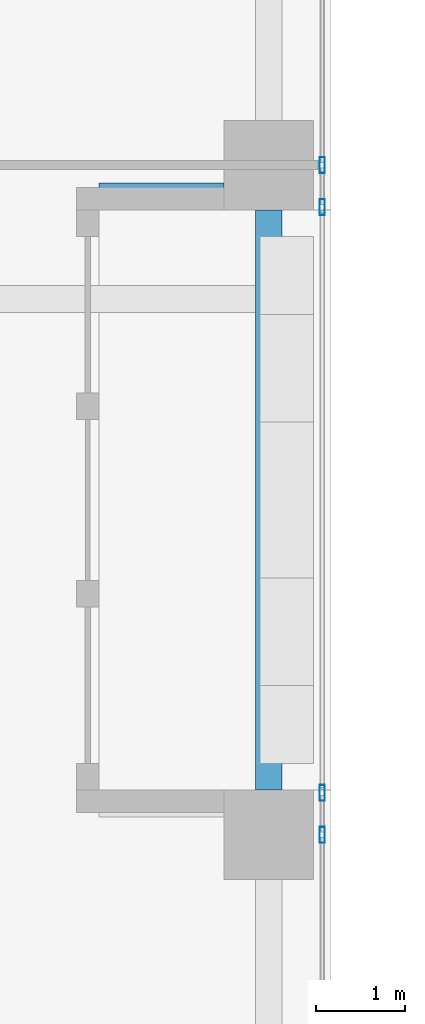
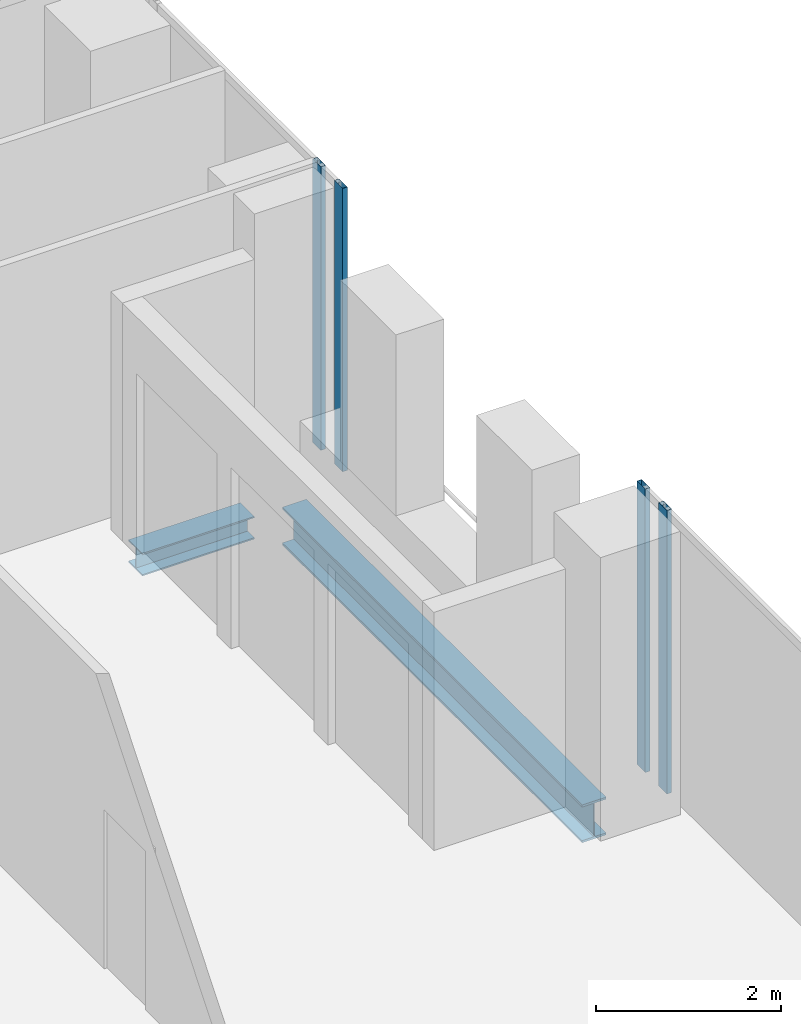
# One storey, part 24 of 40: 4 members, 2 beams, 2 elements without a shape of their own.
"""IFC4 building model written with IfcOpenShell, lengths in metres."""

import ifcopenshell
import ifcopenshell.guid

model = None  # the IFC model being written
_history = None  # IfcOwnerHistory: only IFC2X3 demands one
_inside = {}  # id of a spatial element -> (the spatial element, [elements in it])
_under = {}  # id of a project, library or spatial element -> (it, [spatial elements below it])
_declared = {}  # id of a project -> (the project, [libraries it declares])
_typed = {}  # id of a type object -> (the type object, [elements of that type])
_made_of = {}  # id of a material, layer set ... -> (it, [elements and type objects made of it])


def new_model(schema):
    """Start an empty IFC model of exactly this schema.

    Asked for "IFC4X3", IfcOpenShell would pick the latest addendum, in which some entities
    have other attributes; the version numbers below select the first issue.
    IFC2X3 requires an IfcOwnerHistory on every rooted entity: one is made here for all.
    """
    global model, _history
    if schema == "IFC4X3":
        model = ifcopenshell.file(schema_version=(4, 3, 0, 0))
    else:
        model = ifcopenshell.file(schema=schema)
    _inside.clear()
    _under.clear()
    _declared.clear()
    _typed.clear()
    _made_of.clear()
    _history = None
    if model.schema == "IFC2X3":
        org = make("IfcOrganization", Name="unknown")
        user = make(
            "IfcPersonAndOrganization",
            ThePerson=make("IfcPerson", FamilyName="unknown"),
            TheOrganization=org,
        )
        app = make(
            "IfcApplication",
            ApplicationDeveloper=org,
            Version="unknown",
            ApplicationFullName="unknown",
            ApplicationIdentifier="unknown",
        )
        _history = make(
            "IfcOwnerHistory",
            OwningUser=user,
            OwningApplication=app,
            ChangeAction="ADDED",
            CreationDate=0,
        )
    return model


def make(cls, **values):
    """One entity of the class cls with the attributes given. An attribute that is None is left unset."""
    return model.create_entity(
        cls, **{name: value for name, value in values.items() if value is not None}
    )


def rooted(cls, **values):
    """An entity with a GlobalId (a new one), such as an element, a storey or a relation."""
    return make(cls, GlobalId=ifcopenshell.guid.new(), OwnerHistory=_history, **values)


def si_unit(unit_type, name, prefix=None):
    """IfcSIUnit, for example si_unit("LENGTHUNIT", "METRE", prefix="MILLI")."""
    return make("IfcSIUnit", UnitType=unit_type, Prefix=prefix, Name=name)


def assignment(units):
    """IfcUnitAssignment: the units of a project."""
    return None if units is None else make("IfcUnitAssignment", Units=units)


def point(xyz):
    """IfcCartesianPoint."""
    return None if xyz is None else make("IfcCartesianPoint", Coordinates=xyz)


def direction(xyz):
    """IfcDirection."""
    return None if xyz is None else make("IfcDirection", DirectionRatios=xyz)


def frame(location, z_axis=None, x_axis=None):
    """IfcAxis2Placement3D, a coordinate frame: its origin and axes. An axis left out is left unset."""
    return make(
        "IfcAxis2Placement3D",
        Location=point(location),
        Axis=direction(z_axis),
        RefDirection=direction(x_axis),
    )


def frame_2d(location, x_axis=None):
    """IfcAxis2Placement2D, a coordinate frame in the plane: its origin and x axis."""
    return make(
        "IfcAxis2Placement2D", Location=point(location), RefDirection=direction(x_axis)
    )


def origin():
    """The frame at (0, 0, 0) with its axes left unset."""
    return frame((0.0, 0.0, 0.0))


def origin_2d():
    """The frame at (0, 0) in the plane with its x axis left unset."""
    return frame_2d((0.0, 0.0))


def place(relative_to, where):
    """IfcLocalPlacement: puts the frame where relative to a parent placement (None: the world)."""
    return make(
        "IfcLocalPlacement", PlacementRelTo=relative_to, RelativePlacement=where
    )


def context(
    kind, dimensions, precision=None, world=None, true_north=None, identifier=None
):
    """IfcGeometricRepresentationContext, for example the 3D "Model" context."""
    return make(
        "IfcGeometricRepresentationContext",
        ContextIdentifier=identifier,
        ContextType=kind,
        CoordinateSpaceDimension=dimensions,
        Precision=precision,
        WorldCoordinateSystem=world,
        TrueNorth=true_north,
    )


def subcontext(parent, identifier, kind, view, scale=None):
    """IfcGeometricRepresentationSubContext, for example "Body" below "Model"."""
    return make(
        "IfcGeometricRepresentationSubContext",
        ContextIdentifier=identifier,
        ContextType=kind,
        ParentContext=parent,
        TargetScale=scale,
        TargetView=view,
    )


def project(units=None, contexts=None):
    """IfcProject with its units and contexts."""
    return rooted(
        "IfcProject",
        Name="project",
        RepresentationContexts=contexts,
        UnitsInContext=assignment(units),
    )


def spatial(cls, under=None, at=None, **own):
    """A site, building, storey or space (cls), placed at a placement, below another one or the project."""
    s = rooted(cls, ObjectPlacement=at, **own)
    if under is not None:
        _under.setdefault(under.id(), (under, []))[1].append(s)
    return s


def profile(cls, at=None, kind="AREA", **sizes):
    """A parametric profile (cls). Its sizes go by their IFC names, for example OverallWidth=200.0."""
    return make(cls, ProfileType=kind, Position=at, **sizes)


def hollow_rectangle(**sizes):
    """IfcRectangleHollowProfileDef."""
    return profile("IfcRectangleHollowProfileDef", **sizes)


def i_section(**sizes):
    """IfcIShapeProfileDef."""
    return profile("IfcIShapeProfileDef", **sizes)


def extrude(swept, where, along, depth):
    """IfcExtrudedAreaSolid: the profile swept, set in the frame where, extruded along a direction by depth."""
    return make(
        "IfcExtrudedAreaSolid",
        SweptArea=swept,
        Position=where,
        ExtrudedDirection=direction(along),
        Depth=depth,
    )


def shape(context_of_items, identifier, shape_type, items):
    """IfcShapeRepresentation: the items that make up one representation, for example the "Body"."""
    return make(
        "IfcShapeRepresentation",
        ContextOfItems=context_of_items,
        RepresentationIdentifier=identifier,
        RepresentationType=shape_type,
        Items=items,
    )


def source(mapping_origin, context_of_items, identifier, shape_type, items):
    """IfcRepresentationMap: a shape defined once, which mapped items show again and again."""
    return make(
        "IfcRepresentationMap",
        MappingOrigin=mapping_origin,
        MappedRepresentation=shape(context_of_items, identifier, shape_type, items),
    )


def transform(
    local_origin,
    x_axis=None,
    y_axis=None,
    z_axis=None,
    scale=None,
    scale2=None,
    scale3=None,
    uniform=True,
):
    """IfcCartesianTransformationOperator3D, or its non-uniform kind. x_axis, y_axis, z_axis: its Axis1, 2, 3."""
    if uniform:
        return make(
            "IfcCartesianTransformationOperator3D",
            Axis1=direction(x_axis),
            Axis2=direction(y_axis),
            LocalOrigin=point(local_origin),
            Scale=scale,
            Axis3=direction(z_axis),
        )
    return make(
        "IfcCartesianTransformationOperator3DnonUniform",
        Axis1=direction(x_axis),
        Axis2=direction(y_axis),
        LocalOrigin=point(local_origin),
        Scale=scale,
        Axis3=direction(z_axis),
        Scale2=scale2,
        Scale3=scale3,
    )


def mapped(mapping_source, mapping_target):
    """IfcMappedItem: shows the shape of a source again, moved by a transform."""
    return make(
        "IfcMappedItem", MappingSource=mapping_source, MappingTarget=mapping_target
    )


def material(Name=None, Category=None):
    """IfcMaterial."""
    return make("IfcMaterial", Name=Name, Category=Category)


def material_profile(
    of_material, cross_section, Name=None, Category=None, Priority=None
):
    """IfcMaterialProfile: a cross section and its material."""
    return make(
        "IfcMaterialProfile",
        Name=Name,
        Material=of_material,
        Profile=cross_section,
        Priority=Priority,
        Category=Category,
    )


def profile_set(profiles, Name=None, composite=None):
    """IfcMaterialProfileSet."""
    return make(
        "IfcMaterialProfileSet",
        Name=Name,
        MaterialProfiles=profiles,
        CompositeProfile=composite,
    )


def made_of(thing, what):
    """Note that an element or type object is made of a material, layer set ...; save() writes the relation."""
    if what is not None:
        _made_of.setdefault(what.id(), (what, []))[1].append(thing)
    return thing


def type_object(cls, material=None, **own):
    """A type object (cls), such as IfcWallType, which elements share."""
    return made_of(rooted(cls, **own), material)


def element(
    cls,
    number,
    at=None,
    inside=None,
    cuts=None,
    type_object=None,
    material=None,
    context=None,
    identifier="Body",
    shape_type=None,
    held_by="IfcProductDefinitionShape",
    body=None,
    shapes=None,
    **own,
):
    """One element of the class cls, such as IfcWall. Its Tag is "e" and its number.

    at: its placement. inside: the storey or other place that contains it. cuts: it is an
    opening in that element (IfcRelVoidsElement). A single representation is given by context,
    identifier, shape_type and body (its items); several are given by shapes. held_by: the class
    of the entity that holds the representations. save() writes the other relations.
    """
    e = rooted(cls, Tag="e%d" % number, ObjectPlacement=at, **own)
    if body is not None:
        shapes = [shape(context, identifier, shape_type, body)]
    if shapes is not None:
        e.Representation = make(held_by, Representations=shapes)
    if inside is not None:
        _inside.setdefault(inside.id(), (inside, []))[1].append(e)
    if cuts is not None:
        rooted(
            "IfcRelVoidsElement", RelatingBuildingElement=cuts, RelatedOpeningElement=e
        )
    if type_object is not None:
        _typed.setdefault(type_object.id(), (type_object, []))[1].append(e)
    return made_of(e, material)


def aggregate(whole, parts):
    """IfcRelAggregates: a whole, such as a stair, and the parts it consists of."""
    return rooted("IfcRelAggregates", RelatingObject=whole, RelatedObjects=parts)


def save(model, path):
    """Write the relations noted so far, then the file.

    IfcRelAggregates (storeys below a building ...), IfcRelContainedInSpatialStructure (elements
    in a storey), IfcRelDefinesByType, IfcRelAssociatesMaterial and IfcRelDeclares: one each for
    every whole, place, type object, material and project.
    """
    for whole, parts in _under.values():
        aggregate(whole, parts)
    for where, things in _inside.values():
        rooted(
            "IfcRelContainedInSpatialStructure",
            RelatedElements=things,
            RelatingStructure=where,
        )
    for kind, things in _typed.values():
        rooted("IfcRelDefinesByType", RelatedObjects=things, RelatingType=kind)
    for what, things in _made_of.values():
        rooted("IfcRelAssociatesMaterial", RelatedObjects=things, RelatingMaterial=what)
    for by, libraries in _declared.values():
        rooted("IfcRelDeclares", RelatingContext=by, RelatedDefinitions=libraries)
    model.write(path)


model = new_model("IFC4")

# Units and contexts
model_context = context("Model", 3, precision=1e-05, world=origin(), true_north=direction((0.0, 1.0)))
body_context = subcontext(model_context, "Body", "Model", "MODEL_VIEW")
ifc_project = project(units=[si_unit("LENGTHUNIT", "METRE"), si_unit("AREAUNIT", "SQUARE_METRE"), si_unit("VOLUMEUNIT", "CUBIC_METRE"), si_unit("PLANEANGLEUNIT", "RADIAN"), si_unit("MASSUNIT", "GRAM", prefix="KILO")], contexts=[model_context])

# Site, building, storey
site_placement = place(None, origin())
site = spatial("IfcSite", under=ifc_project, at=site_placement, CompositionType="ELEMENT")
building_placement = place(site_placement, origin())
building = spatial("IfcBuilding", under=site, at=building_placement, Name="Khomas Fold Tower", CompositionType="ELEMENT")
storey_placement = place(building_placement, frame((0.0, 0.0, 192.699951171875)))
storey = spatial("IfcBuildingStorey", under=building, at=storey_placement, Name="L42", CompositionType="ELEMENT", Elevation=192.699951171875)

# Beams
ifc_material_1 = material(Name="Steel S355", Category="steel")
ifc_material_profile_1 = material_profile(ifc_material_1, i_section(OverallWidth=0.300048828125, OverallDepth=0.5, WebThickness=0.014404296875, FlangeThickness=0.028076171875, at=origin_2d()), Name="HE 500 B")
ifc_profile_set_1 = profile_set([ifc_material_profile_1], Name="Steel S355")
beam_type_1 = type_object("IfcBeamType", Name="HE 500 B spandrel SB3", PredefinedType="SPANDREL", material=ifc_profile_set_1)
shared_shape_1 = source(origin(), body_context, "Body", "SweptSolid", [
    extrude(i_section(OverallWidth=0.300048828125, OverallDepth=0.5, WebThickness=0.014404296875, FlangeThickness=0.028076171875, at=origin_2d()), origin(), (0.0, 0.0, 1.0), 6.5),
])
beam_1_placement = place(storey_placement, frame((50.300048828125, 35.0, -0.5), z_axis=(0.0, 1.0, 0.0), x_axis=(-1.0, 0.0, 0.0)))
element("IfcBeam", 1, at=beam_1_placement, inside=storey, type_object=beam_type_1, Name="SB3", PredefinedType="SPANDREL", context=body_context, shape_type="MappedRepresentation", body=[
    mapped(shared_shape_1, transform((0.0, 0.0, 0.0))),
])
ifc_material_2 = material(Name="Steel S355", Category="steel")
ifc_material_profile_2 = material_profile(ifc_material_2, i_section(OverallWidth=0.300048828125, OverallDepth=0.300048828125, WebThickness=0.010986328125, FlangeThickness=0.01904296875, at=origin_2d()), Name="HE 300 B")
ifc_profile_set_2 = profile_set([ifc_material_profile_2], Name="Steel S355")
beam_type_2 = type_object("IfcBeamType", Name="HE 300 B beam BB1", PredefinedType="BEAM", material=ifc_profile_set_2)
shared_shape_2 = source(origin(), body_context, "Body", "SweptSolid", [
    extrude(i_section(OverallWidth=0.300048828125, OverallDepth=0.300048828125, WebThickness=0.010986328125, FlangeThickness=0.01904296875, at=origin_2d()), origin(), (0.0, 0.0, 1.0), 1.400146484375),
])
beam_2_placement = place(storey_placement, frame((48.39990234375, 41.64990234375, -0.39990234375), z_axis=(1.0, 0.0, 0.0), x_axis=(0.0, 1.0, 0.0)))
element("IfcBeam", 2, at=beam_2_placement, inside=storey, type_object=beam_type_2, Name="BB1", PredefinedType="BEAM", context=body_context, shape_type="MappedRepresentation", body=[
    mapped(shared_shape_2, transform((0.0, 0.0, 0.0))),
])

# Curtain wall, members
ifc_material_3 = material(Name="Aluminium framed double glazing", Category="aluminium")
curtain_wall_type = type_object("IfcCurtainWallType", Name="SK-Unitised clear-glass wall, office floors CW2", PredefinedType="NOTDEFINED", material=ifc_material_3)
curtain_wall_1_placement = place(storey_placement, origin())
curtain_wall_1 = element("IfcCurtainWall", 3, at=curtain_wall_1_placement, inside=storey, type_object=curtain_wall_type, Name="CW2 run L42 03-0", PredefinedType="NOTDEFINED")
ifc_material_4 = material(Name="Aluminium", Category="aluminium")
ifc_material_profile_3 = material_profile(ifc_material_4, hollow_rectangle(XDim=0.06005859375, YDim=0.179931640625, WallThickness=0.00390625, at=origin_2d()), Name="SK-Unitised clear-glass wall, office floors mullion CW2-M")
ifc_profile_set_3 = profile_set([ifc_material_profile_3], Name="Aluminium")
member_type = type_object("IfcMemberType", Name="SK-Unitised clear-glass wall, office floors mullion CW2-M", PredefinedType="MULLION", material=ifc_profile_set_3)
shared_shape_3 = source(origin(), body_context, "Body", "SweptSolid", [
    extrude(hollow_rectangle(XDim=0.06005859375, YDim=0.179931640625, WallThickness=0.00390625, at=origin_2d()), origin(), (0.0, 0.0, 1.0), 3.75),
])
member_1_placement = place(storey_placement, frame((50.89990234375, 34.5, 0.0), z_axis=(0.0, 0.0, 1.0), x_axis=(-1.0, 0.0, 0.0)))
member_1 = element("IfcMember", 4, at=member_1_placement, type_object=member_type, Name="CW2 mullion 6", PredefinedType="MULLION", context=body_context, shape_type="MappedRepresentation", body=[
    mapped(shared_shape_3, transform((0.0, 0.0, 0.0))),
])
member_2_placement = place(storey_placement, frame((50.89990234375, 34.969970703125, 0.0), z_axis=(0.0, 0.0, 1.0), x_axis=(-1.0, 0.0, 0.0)))
member_2 = element("IfcMember", 5, at=member_2_placement, type_object=member_type, Name="CW2 mullion 7", PredefinedType="MULLION", context=body_context, shape_type="MappedRepresentation", body=[
    mapped(shared_shape_3, transform((0.0, 0.0, 0.0))),
])
aggregate(curtain_wall_1, [member_1, member_2])

curtain_wall_2_placement = place(storey_placement, origin())
curtain_wall_2 = element("IfcCurtainWall", 6, at=curtain_wall_2_placement, inside=storey, type_object=curtain_wall_type, Name="CW2 run L42 03-1", PredefinedType="NOTDEFINED")
member_3_placement = place(storey_placement, frame((50.89990234375, 41.530029296875, 0.0), z_axis=(0.0, 0.0, 1.0), x_axis=(-1.0, 0.0, 0.0)))
member_3 = element("IfcMember", 7, at=member_3_placement, type_object=member_type, Name="CW2 mullion 1", PredefinedType="MULLION", context=body_context, shape_type="MappedRepresentation", body=[
    mapped(shared_shape_3, transform((0.0, 0.0, 0.0))),
])
member_4_placement = place(storey_placement, frame((50.89990234375, 42.0, 0.0), z_axis=(0.0, 0.0, 1.0), x_axis=(-1.0, 0.0, 0.0)))
member_4 = element("IfcMember", 8, at=member_4_placement, type_object=member_type, Name="CW2 mullion 2", PredefinedType="MULLION", context=body_context, shape_type="MappedRepresentation", body=[
    mapped(shared_shape_3, transform((0.0, 0.0, 0.0))),
])
aggregate(curtain_wall_2, [member_3, member_4])

save(model, "model.ifc")
